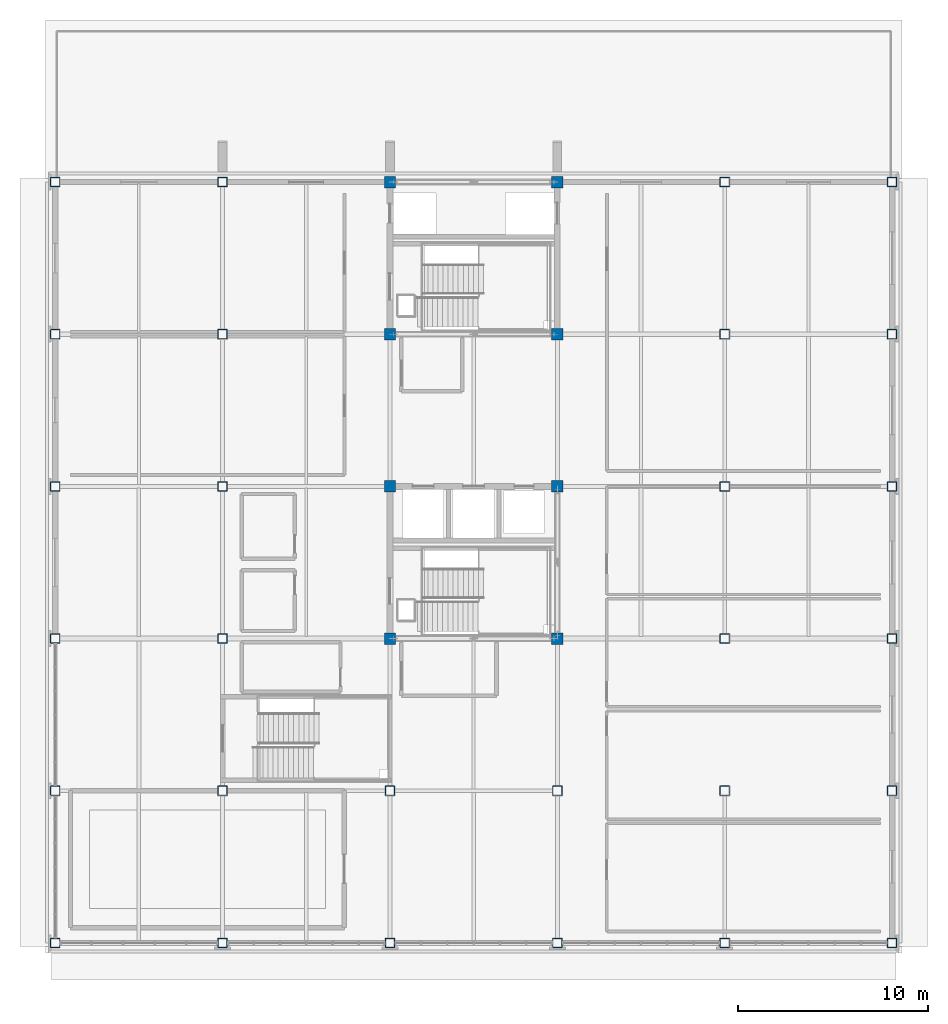
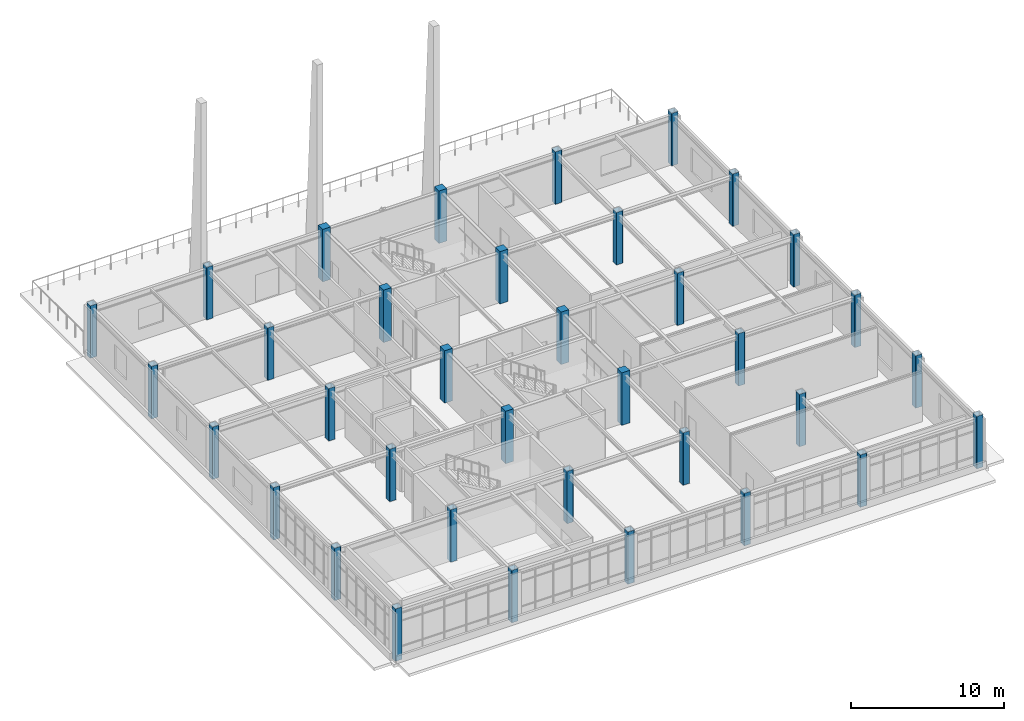
# One storey, part 1 of 22: 36 columns.
"""IFC4 building model written with IfcOpenShell, lengths in metres."""

from ifc_helpers import new_model, si_unit, direction, frame, origin, origin_2d, place, context, subcontext, project, spatial, rectangle, hollow_rectangle, extrude, material, material_profile, profile_set, type_object, element, save


model = new_model("IFC4")

# Units and contexts
model_context = context("Model", 3, precision=1e-05, world=origin(), true_north=direction((0.0, 1.0)))
body_context = subcontext(model_context, "Body", "Model", "MODEL_VIEW")
ifc_project = project(units=[si_unit("LENGTHUNIT", "METRE"), si_unit("AREAUNIT", "SQUARE_METRE"), si_unit("VOLUMEUNIT", "CUBIC_METRE"), si_unit("PLANEANGLEUNIT", "RADIAN"), si_unit("MASSUNIT", "GRAM", prefix="KILO")], contexts=[model_context])

# Site, building, storey
site_placement = place(None, origin())
site = spatial("IfcSite", under=ifc_project, at=site_placement, CompositionType="ELEMENT")
building_placement = place(site_placement, origin())
building = spatial("IfcBuilding", under=site, at=building_placement, Name="Zhaolan Boulevard Law Courts", CompositionType="ELEMENT")
storey_placement = place(building_placement, frame((0.0, 0.0, 28.800048828125)))
storey = spatial("IfcBuildingStorey", under=building, at=storey_placement, Name="L06", CompositionType="ELEMENT", Elevation=28.800048828125)

# Columns
ifc_material_1 = material(Name="Structural steel Q355B", Category="steel")
ifc_material_profile_1 = material_profile(ifc_material_1, hollow_rectangle(XDim=0.5, YDim=0.5, WallThickness=0.02001953125, InnerFilletRadius=0.02001953125, OuterFilletRadius=0.0400390625, at=origin_2d()), Name="BOX500x500x20")
ifc_profile_set_1 = profile_set([ifc_material_profile_1], Name="Structural steel Q355B")
column_type_1 = type_object("IfcColumnType", Name="COL BOX500", PredefinedType="COLUMN", material=ifc_profile_set_1)
for number, where, z_axis, x_axis, name in (
    (1, (0.0, 30.0, 0.0), (0.0, 0.0, 1.0), (1.0, 0.0, 0.0), "Column C-1E (L06)"),
    (2, (0.0, 38.0, 0.0), (0.0, 0.0, 1.0), (1.0, 0.0, 0.0), "Column C-1F (L06)"),
    (3, (0.0, 46.0, 0.0), (0.0, 0.0, 1.0), (1.0, 0.0, 0.0), "Column C-1G (L06)"),
    (4, (0.0, 54.0, 0.0), (0.0, 0.0, 1.0), (1.0, 0.0, 0.0), "Column C-1H (L06)"),
    (5, (0.0, 62.0, 0.0), (0.0, 0.0, 1.0), (1.0, 0.0, 0.0), "Column C-1J (L06)"),
    (6, (0.0, 70.0, 0.0), (0.0, 0.0, 1.0), (1.0, 0.0, 0.0), "Column C-1K (L06)"),
    (7, (8.800048828125, 30.0, 0.0), (0.0, 0.0, 1.0), (1.0, 0.0, 0.0), "Column C-2E (L06)"),
    (8, (8.800048828125, 38.0, 0.0), (0.0, 0.0, 1.0), (1.0, 0.0, 0.0), "Column C-2F (L06)"),
    (9, (8.800048828125, 46.0, 0.0), (0.0, 0.0, 1.0), (1.0, 0.0, 0.0), "Column C-2G (L06)"),
    (10, (8.800048828125, 54.0, 0.0), (0.0, 0.0, 1.0), (1.0, 0.0, 0.0), "Column C-2H (L06)"),
    (11, (8.800048828125, 62.0, 0.0), (0.0, 0.0, 1.0), (1.0, 0.0, 0.0), "Column C-2J (L06)"),
    (12, (8.800048828125, 70.0, 0.0), (0.0, 0.0, 1.0), (1.0, 0.0, 0.0), "Column C-2K (L06)"),
    (13, (17.60009765625, 30.0, 0.0), (0.0, 0.0, 1.0), (1.0, 0.0, 0.0), "Column C-3E (L06)"),
    (14, (17.60009765625, 38.0, 0.0), (0.0, 0.0, 1.0), (1.0, 0.0, 0.0), "Column C-3F (L06)"),
    (15, (26.39990234375, 30.0, 0.0), (0.0, 0.0, 1.0), (1.0, 0.0, 0.0), "Column C-4E (L06)"),
    (16, (26.39990234375, 38.0, 0.0), (0.0, 0.0, 1.0), (1.0, 0.0, 0.0), "Column C-4F (L06)"),
    (17, (35.199951171875, 30.0, 0.0), (0.0, 0.0, 1.0), (1.0, 0.0, 0.0), "Column C-5E (L06)"),
    (18, (35.199951171875, 38.0, 0.0), (0.0, 0.0, 1.0), (1.0, 0.0, 0.0), "Column C-5F (L06)"),
    (19, (35.199951171875, 46.0, 0.0), (0.0, 0.0, 1.0), (1.0, 0.0, 0.0), "Column C-5G (L06)"),
    (20, (35.199951171875, 54.0, 0.0), (0.0, 0.0, 1.0), (1.0, 0.0, 0.0), "Column C-5H (L06)"),
    (21, (35.199951171875, 62.0, 0.0), (0.0, 0.0, 1.0), (1.0, 0.0, 0.0), "Column C-5J (L06)"),
    (22, (35.199951171875, 70.0, 0.0), (0.0, 0.0, 1.0), (1.0, 0.0, 0.0), "Column C-5K (L06)"),
    (23, (44.0, 30.0, 0.0), (0.0, 0.0, 1.0), (1.0, 0.0, 0.0), "Column C-6E (L06)"),
    (24, (44.0, 38.0, 0.0), (0.0, 0.0, 1.0), (1.0, 0.0, 0.0), "Column C-6F (L06)"),
    (25, (44.0, 46.0, 0.0), (0.0, 0.0, 1.0), (1.0, 0.0, 0.0), "Column C-6G (L06)"),
    (26, (44.0, 54.0, 0.0), (0.0, 0.0, 1.0), (1.0, 0.0, 0.0), "Column C-6H (L06)"),
    (27, (44.0, 62.0, 0.0), (0.0, 0.0, 1.0), (1.0, 0.0, 0.0), "Column C-6J (L06)"),
    (28, (44.0, 70.0, 0.0), (0.0, 0.0, 1.0), (1.0, 0.0, 0.0), "Column C-6K (L06)"),
):
    element("IfcColumn", number, at=place(storey_placement, frame(where, z_axis=z_axis, x_axis=x_axis)), inside=storey, type_object=column_type_1, Name=name, PredefinedType="COLUMN", context=body_context, shape_type="SweptSolid", body=[
        extrude(hollow_rectangle(XDim=0.5, YDim=0.5, WallThickness=0.02001953125, InnerFilletRadius=0.02001953125, OuterFilletRadius=0.0400390625, at=origin_2d()), origin(), (0.0, 0.0, 1.0), 4.199951171875),
    ])
ifc_material_2 = material(Name="Concrete C50", Category="concrete")
ifc_material_profile_2 = material_profile(ifc_material_2, rectangle(XDim=0.60009765625, YDim=0.60009765625, at=origin_2d()), Name="RC600x600")
ifc_profile_set_2 = profile_set([ifc_material_profile_2], Name="Concrete C50")
column_type_2 = type_object("IfcColumnType", Name="COL RC600", PredefinedType="COLUMN", material=ifc_profile_set_2)
for number, where, z_axis, x_axis, name in (
    (29, (17.60009765625, 46.0, 0.0), (0.0, 0.0, 1.0), (1.0, 0.0, 0.0), "Column C-3G (L06)"),
    (30, (17.60009765625, 54.0, 0.0), (0.0, 0.0, 1.0), (1.0, 0.0, 0.0), "Column C-3H (L06)"),
    (31, (17.60009765625, 62.0, 0.0), (0.0, 0.0, 1.0), (1.0, 0.0, 0.0), "Column C-3J (L06)"),
    (32, (17.60009765625, 70.0, 0.0), (0.0, 0.0, 1.0), (1.0, 0.0, 0.0), "Column C-3K (L06)"),
    (33, (26.39990234375, 46.0, 0.0), (0.0, 0.0, 1.0), (1.0, 0.0, 0.0), "Column C-4G (L06)"),
    (34, (26.39990234375, 54.0, 0.0), (0.0, 0.0, 1.0), (1.0, 0.0, 0.0), "Column C-4H (L06)"),
    (35, (26.39990234375, 62.0, 0.0), (0.0, 0.0, 1.0), (1.0, 0.0, 0.0), "Column C-4J (L06)"),
    (36, (26.39990234375, 70.0, 0.0), (0.0, 0.0, 1.0), (1.0, 0.0, 0.0), "Column C-4K (L06)"),
):
    element("IfcColumn", number, at=place(storey_placement, frame(where, z_axis=z_axis, x_axis=x_axis)), inside=storey, type_object=column_type_2, Name=name, PredefinedType="COLUMN", context=body_context, shape_type="SweptSolid", body=[
        extrude(rectangle(XDim=0.60009765625, YDim=0.60009765625, at=origin_2d()), origin(), (0.0, 0.0, 1.0), 4.199951171875),
    ])

save(model, "model.ifc")
